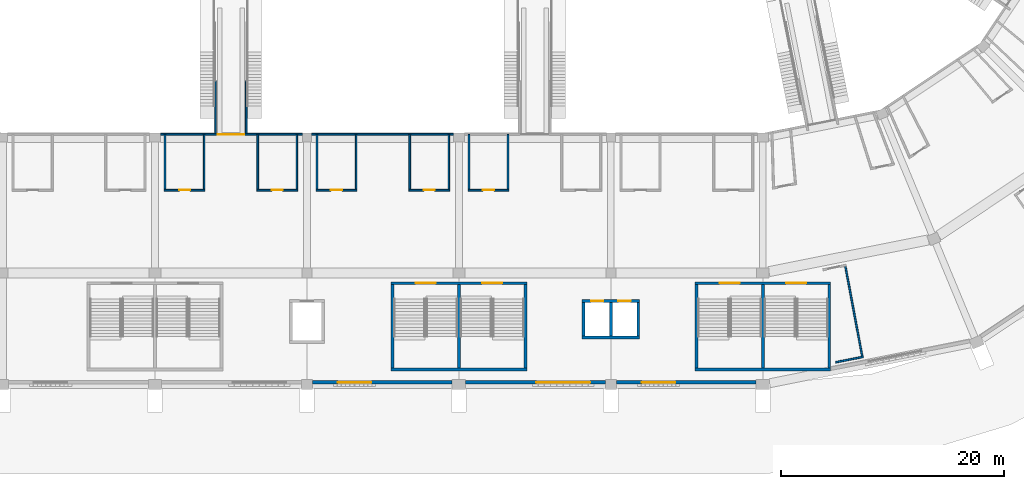
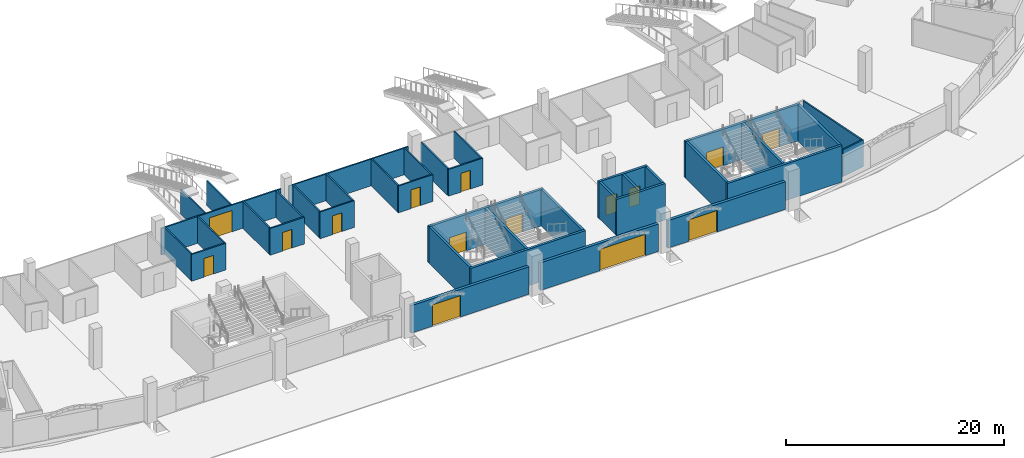
# One storey, part 28 of 175: 39 walls, 15 doors, 15 openings.
"""IFC4 building model written with IfcOpenShell, lengths in metres."""

from ifc_helpers import new_model, si_unit, direction, frame, frame_2d, origin, place, context, subcontext, project, spatial, rectangle, extrude, material, layer, layer_set, type_object, element, fill, save


model = new_model("IFC4")

# Units and contexts
model_context = context("Model", 3, precision=1e-05, world=origin(), true_north=direction((0.0, 1.0)))
body_context = subcontext(model_context, "Body", "Model", "MODEL_VIEW")
ifc_project = project(units=[si_unit("LENGTHUNIT", "METRE"), si_unit("AREAUNIT", "SQUARE_METRE"), si_unit("VOLUMEUNIT", "CUBIC_METRE"), si_unit("PLANEANGLEUNIT", "RADIAN"), si_unit("MASSUNIT", "GRAM", prefix="KILO")], contexts=[model_context])

# Site, building, storey
site_placement = place(None, origin())
site = spatial("IfcSite", under=ifc_project, at=site_placement, CompositionType="ELEMENT")
building_placement = place(site_placement, origin())
building = spatial("IfcBuilding", under=site, at=building_placement, Name="Ogive Plaza Stadium", CompositionType="ELEMENT")
storey_placement = place(building_placement, origin())
storey = spatial("IfcBuildingStorey", under=building, at=storey_placement, Name="L00", CompositionType="ELEMENT", Elevation=0.0)

# Wall, opening, door
ifc_material_1 = material(Name="Masonry blockwork", Category="masonry")
ifc_layer_1 = layer(ifc_material_1, 0.14990234375)
ifc_layer_set_1 = layer_set([ifc_layer_1], Name="Blockwork wall 150")
wall_type_1 = type_object("IfcWallType", Name="Blockwork wall 150", PredefinedType="SOLIDWALL", material=ifc_layer_set_1)
wall_1_placement = place(storey_placement, frame((7.625, -85.10009765625, 0.0), z_axis=(0.0, 0.0, 1.0), x_axis=(1.0, 0.0, 0.0)))
wall_1 = element("IfcWall", 1, at=wall_1_placement, inside=storey, type_object=wall_type_1, Name="Wall L00 B13", PredefinedType="SOLIDWALL", context=body_context, shape_type="SweptSolid", body=[
    extrude(rectangle(XDim=3.64990234375, YDim=0.14990234375, at=frame_2d((1.824951171875, 0.0))), origin(), (0.0, 0.0, 1.0), 3.0),
])
opening_1_placement = place(wall_1_placement, frame((1.324951171875, 0.0, 0.0)))
opening_1 = element("IfcOpeningElement", 2, at=opening_1_placement, cuts=wall_1, Name="Opening D0403", PredefinedType="OPENING", context=body_context, shape_type="SweptSolid", body=[
    extrude(rectangle(XDim=1.0, YDim=2.10009765625, at=frame_2d((0.5, 1.050048828125))), frame((0.0, 0.074951171875, 0.0), z_axis=(0.0, -1.0, 0.0), x_axis=(1.0, 0.0, 0.0)), (0.0, 0.0, 1.0), 0.14990234375),
])
ifc_material_2 = material(Name="Steel ASTM A572 Grade 50", Category="steel")
door_type_1 = type_object("IfcDoorType", Name="Door 1000 x 2100", OperationType="SINGLE_SWING_LEFT", PredefinedType="DOOR", material=ifc_material_2)
door_1_placement = place(opening_1_placement, origin())
door_1 = element("IfcDoor", 3, at=door_1_placement, inside=storey, type_object=door_type_1, Name="Concession Stand B13 door", OperationType="SINGLE_SWING_LEFT", OverallHeight=2.10009765625, OverallWidth=1.0, PredefinedType="DOOR", context=body_context, shape_type="SweptSolid", body=[
    extrude(rectangle(XDim=1.0, YDim=2.10009765625, at=frame_2d((0.5, 1.050048828125))), frame((0.0, 0.02490234375, 0.0), z_axis=(0.0, -1.0, 0.0), x_axis=(1.0, 0.0, 0.0)), (0.0, 0.0, 1.0), 0.050048828125),
])
fill(opening_1, door_1)

# Walls
for number, where, z_axis, x_axis, name in (
    (4, (7.699951171875, -80.10009765625, 0.0), (0.0, 0.0, 1.0), (0.0, -1.0, 0.0), "Wall L00 B13"),
    (5, (11.199951171875, -80.10009765625, 0.0), (0.0, 0.0, 1.0), (0.0, -1.0, 0.0), "Wall L00 B13"),
):
    element("IfcWall", number, at=place(storey_placement, frame(where, z_axis=z_axis, x_axis=x_axis)), inside=storey, type_object=wall_type_1, Name=name, PredefinedType="SOLIDWALL", context=body_context, shape_type="SweptSolid", body=[
        extrude(rectangle(XDim=4.9248046875, YDim=0.14990234375, at=frame_2d((2.46240234375, 0.0))), origin(), (0.0, 0.0, 1.0), 3.0),
    ])

# Wall, opening, door
wall_2_placement = place(storey_placement, frame((5.97509765625, -85.10009765625, 0.0), z_axis=(0.0, 0.0, 1.0), x_axis=(-1.0, 0.0, 0.0)))
wall_2 = element("IfcWall", 6, at=wall_2_placement, inside=storey, type_object=wall_type_1, Name="Wall L00 B14", PredefinedType="SOLIDWALL", context=body_context, shape_type="SweptSolid", body=[
    extrude(rectangle(XDim=3.650146484375, YDim=0.14990234375, at=frame_2d((1.8251953125, 0.0))), origin(), (0.0, 0.0, 1.0), 3.0),
])
opening_2_placement = place(wall_2_placement, frame((1.324951171875, 0.0, 0.0)))
opening_2 = element("IfcOpeningElement", 7, at=opening_2_placement, cuts=wall_2, Name="Opening D0405", PredefinedType="OPENING", context=body_context, shape_type="SweptSolid", body=[
    extrude(rectangle(XDim=1.0, YDim=2.10009765625, at=frame_2d((0.5, 1.050048828125))), frame((0.0, 0.074951171875, 0.0), z_axis=(0.0, -1.0, 0.0), x_axis=(1.0, 0.0, 0.0)), (0.0, 0.0, 1.0), 0.14990234375),
])
door_2_placement = place(opening_2_placement, origin())
door_2 = element("IfcDoor", 8, at=door_2_placement, inside=storey, type_object=door_type_1, Name="Concession Stand B14 door", OperationType="SINGLE_SWING_RIGHT", OverallHeight=2.10009765625, OverallWidth=1.0, PredefinedType="DOOR", context=body_context, shape_type="SweptSolid", body=[
    extrude(rectangle(XDim=1.0, YDim=2.10009765625, at=frame_2d((0.5, 1.050048828125))), frame((0.0, 0.02490234375, 0.0), z_axis=(0.0, -1.0, 0.0), x_axis=(1.0, 0.0, 0.0)), (0.0, 0.0, 1.0), 0.050048828125),
])
fill(opening_2, door_2)

# Walls
for number, where, z_axis, x_axis, name in (
    (9, (5.89990234375, -80.10009765625, 0.0), (0.0, 0.0, 1.0), (0.0, -1.0, 0.0), "Wall L00 B14"),
    (10, (2.39990234375, -80.10009765625, 0.0), (0.0, 0.0, 1.0), (0.0, -1.0, 0.0), "Wall L00 B14"),
):
    element("IfcWall", number, at=place(storey_placement, frame(where, z_axis=z_axis, x_axis=x_axis)), inside=storey, type_object=wall_type_1, Name=name, PredefinedType="SOLIDWALL", context=body_context, shape_type="SweptSolid", body=[
        extrude(rectangle(XDim=4.9248046875, YDim=0.14990234375, at=frame_2d((2.46240234375, 0.0))), origin(), (0.0, 0.0, 1.0), 3.0),
    ])

# Wall, opening, door
wall_3_placement = place(storey_placement, frame((-2.324951171875, -85.10009765625, 0.0), z_axis=(0.0, 0.0, 1.0), x_axis=(-1.0, 0.0, 0.0)))
wall_3 = element("IfcWall", 11, at=wall_3_placement, inside=storey, type_object=wall_type_1, Name="Wall L00 B14", PredefinedType="SOLIDWALL", context=body_context, shape_type="SweptSolid", body=[
    extrude(rectangle(XDim=3.650146484375, YDim=0.14990234375, at=frame_2d((1.8251953125, 0.0))), origin(), (0.0, 0.0, 1.0), 3.0),
])
opening_3_placement = place(wall_3_placement, frame((1.324951171875, 0.0, 0.0)))
opening_3 = element("IfcOpeningElement", 12, at=opening_3_placement, cuts=wall_3, Name="Opening D0406", PredefinedType="OPENING", context=body_context, shape_type="SweptSolid", body=[
    extrude(rectangle(XDim=1.0, YDim=2.10009765625, at=frame_2d((0.5, 1.050048828125))), frame((0.0, 0.074951171875, 0.0), z_axis=(0.0, -1.0, 0.0), x_axis=(1.0, 0.0, 0.0)), (0.0, 0.0, 1.0), 0.14990234375),
])
door_3_placement = place(opening_3_placement, origin())
door_3 = element("IfcDoor", 13, at=door_3_placement, inside=storey, type_object=door_type_1, Name="Concession Stand B14 door", OperationType="SINGLE_SWING_LEFT", OverallHeight=2.10009765625, OverallWidth=1.0, PredefinedType="DOOR", context=body_context, shape_type="SweptSolid", body=[
    extrude(rectangle(XDim=1.0, YDim=2.10009765625, at=frame_2d((0.5, 1.050048828125))), frame((0.0, 0.02490234375, 0.0), z_axis=(0.0, -1.0, 0.0), x_axis=(1.0, 0.0, 0.0)), (0.0, 0.0, 1.0), 0.050048828125),
])
fill(opening_3, door_3)

# Walls
for number, where, z_axis, x_axis, name in (
    (14, (-2.39990234375, -80.10009765625, 0.0), (0.0, 0.0, 1.0), (0.0, -1.0, 0.0), "Wall L00 B14"),
    (15, (-5.89990234375, -80.10009765625, 0.0), (0.0, 0.0, 1.0), (0.0, -1.0, 0.0), "Wall L00 B14"),
):
    element("IfcWall", number, at=place(storey_placement, frame(where, z_axis=z_axis, x_axis=x_axis)), inside=storey, type_object=wall_type_1, Name=name, PredefinedType="SOLIDWALL", context=body_context, shape_type="SweptSolid", body=[
        extrude(rectangle(XDim=4.9248046875, YDim=0.14990234375, at=frame_2d((2.46240234375, 0.0))), origin(), (0.0, 0.0, 1.0), 3.0),
    ])

# Wall, opening, door
wall_4_placement = place(storey_placement, frame((-19.574951171875, -85.10009765625, 0.0), z_axis=(0.0, 0.0, 1.0), x_axis=(1.0, 0.0, 0.0)))
wall_4 = element("IfcWall", 16, at=wall_4_placement, inside=storey, type_object=wall_type_1, Name="Wall L00 B15", PredefinedType="SOLIDWALL", context=body_context, shape_type="SweptSolid", body=[
    extrude(rectangle(XDim=3.64990234375, YDim=0.14990234375, at=frame_2d((1.824951171875, 0.0))), origin(), (0.0, 0.0, 1.0), 3.0),
])
opening_4_placement = place(wall_4_placement, frame((1.324951171875, 0.0, 0.0)))
opening_4 = element("IfcOpeningElement", 17, at=opening_4_placement, cuts=wall_4, Name="Opening D0407", PredefinedType="OPENING", context=body_context, shape_type="SweptSolid", body=[
    extrude(rectangle(XDim=1.0, YDim=2.10009765625, at=frame_2d((0.5, 1.050048828125))), frame((0.0, 0.074951171875, 0.0), z_axis=(0.0, -1.0, 0.0), x_axis=(1.0, 0.0, 0.0)), (0.0, 0.0, 1.0), 0.14990234375),
])
door_4_placement = place(opening_4_placement, origin())
door_4 = element("IfcDoor", 18, at=door_4_placement, inside=storey, type_object=door_type_1, Name="Concession Stand B15 door", OperationType="SINGLE_SWING_LEFT", OverallHeight=2.10009765625, OverallWidth=1.0, PredefinedType="DOOR", context=body_context, shape_type="SweptSolid", body=[
    extrude(rectangle(XDim=1.0, YDim=2.10009765625, at=frame_2d((0.5, 1.050048828125))), frame((0.0, 0.02490234375, 0.0), z_axis=(0.0, -1.0, 0.0), x_axis=(1.0, 0.0, 0.0)), (0.0, 0.0, 1.0), 0.050048828125),
])
fill(opening_4, door_4)

# Walls
for number, where, z_axis, x_axis, name in (
    (19, (-19.5, -80.10009765625, 0.0), (0.0, 0.0, 1.0), (0.0, -1.0, 0.0), "Wall L00 B15"),
    (20, (-16.0, -80.10009765625, 0.0), (0.0, 0.0, 1.0), (0.0, -1.0, 0.0), "Wall L00 B15"),
):
    element("IfcWall", number, at=place(storey_placement, frame(where, z_axis=z_axis, x_axis=x_axis)), inside=storey, type_object=wall_type_1, Name=name, PredefinedType="SOLIDWALL", context=body_context, shape_type="SweptSolid", body=[
        extrude(rectangle(XDim=4.9248046875, YDim=0.14990234375, at=frame_2d((2.46240234375, 0.0))), origin(), (0.0, 0.0, 1.0), 3.0),
    ])

# Wall, opening, door
wall_5_placement = place(storey_placement, frame((-11.27490234375, -85.10009765625, 0.0), z_axis=(0.0, 0.0, 1.0), x_axis=(1.0, 0.0, 0.0)))
wall_5 = element("IfcWall", 21, at=wall_5_placement, inside=storey, type_object=wall_type_1, Name="Wall L00 B15", PredefinedType="SOLIDWALL", context=body_context, shape_type="SweptSolid", body=[
    extrude(rectangle(XDim=3.64990234375, YDim=0.14990234375, at=frame_2d((1.824951171875, 0.0))), origin(), (0.0, 0.0, 1.0), 3.0),
])
opening_5_placement = place(wall_5_placement, frame((1.324951171875, 0.0, 0.0)))
opening_5 = element("IfcOpeningElement", 22, at=opening_5_placement, cuts=wall_5, Name="Opening D0408", PredefinedType="OPENING", context=body_context, shape_type="SweptSolid", body=[
    extrude(rectangle(XDim=1.0, YDim=2.10009765625, at=frame_2d((0.5, 1.050048828125))), frame((0.0, 0.074951171875, 0.0), z_axis=(0.0, -1.0, 0.0), x_axis=(1.0, 0.0, 0.0)), (0.0, 0.0, 1.0), 0.14990234375),
])
door_5_placement = place(opening_5_placement, origin())
door_5 = element("IfcDoor", 23, at=door_5_placement, inside=storey, type_object=door_type_1, Name="Concession Stand B15 door", OperationType="SINGLE_SWING_RIGHT", OverallHeight=2.10009765625, OverallWidth=1.0, PredefinedType="DOOR", context=body_context, shape_type="SweptSolid", body=[
    extrude(rectangle(XDim=1.0, YDim=2.10009765625, at=frame_2d((0.5, 1.050048828125))), frame((0.0, 0.02490234375, 0.0), z_axis=(0.0, -1.0, 0.0), x_axis=(1.0, 0.0, 0.0)), (0.0, 0.0, 1.0), 0.050048828125),
])
fill(opening_5, door_5)

# Walls
for number, where, z_axis, x_axis, name in (
    (24, (-11.199951171875, -80.10009765625, 0.0), (0.0, 0.0, 1.0), (0.0, -1.0, 0.0), "Wall L00 B15"),
    (25, (-7.699951171875, -80.10009765625, 0.0), (0.0, 0.0, 1.0), (0.0, -1.0, 0.0), "Wall L00 B15"),
):
    element("IfcWall", number, at=place(storey_placement, frame(where, z_axis=z_axis, x_axis=x_axis)), inside=storey, type_object=wall_type_1, Name=name, PredefinedType="SOLIDWALL", context=body_context, shape_type="SweptSolid", body=[
        extrude(rectangle(XDim=4.9248046875, YDim=0.14990234375, at=frame_2d((2.46240234375, 0.0))), origin(), (0.0, 0.0, 1.0), 3.0),
    ])
wall_6_placement = place(storey_placement, frame((6.300048828125, -80.10009765625, 0.0), z_axis=(0.0, 0.0, 1.0), x_axis=(-1.0, 0.0, 0.0)))
element("IfcWall", 26, at=wall_6_placement, inside=storey, type_object=wall_type_1, Name="Stand rear wall B14", PredefinedType="SOLIDWALL", context=body_context, shape_type="SweptSolid", body=[
    extrude(rectangle(XDim=12.699951171875, YDim=0.14990234375, at=frame_2d((6.35009765625, 0.0))), origin(), (0.0, 0.0, 1.0), 3.0),
])

# Wall, opening, door
wall_7_placement = place(storey_placement, frame((-7.199951171875, -80.10009765625, 0.0), z_axis=(0.0, 0.0, 1.0), x_axis=(-1.0, 0.0, 0.0)))
wall_7 = element("IfcWall", 27, at=wall_7_placement, inside=storey, type_object=wall_type_1, Name="Stand rear wall B15", PredefinedType="SOLIDWALL", context=body_context, shape_type="SweptSolid", body=[
    extrude(rectangle(XDim=12.699951171875, YDim=0.14990234375, at=frame_2d((6.35009765625, 0.0))), origin(), (0.0, 0.0, 1.0), 3.0),
])
opening_6_placement = place(wall_7_placement, frame((5.199951171875, 0.0, 0.0)))
opening_6 = element("IfcOpeningElement", 28, at=opening_6_placement, cuts=wall_7, Name="Opening D1044", PredefinedType="OPENING", context=body_context, shape_type="SweptSolid", body=[
    extrude(rectangle(XDim=2.39990234375, YDim=2.39990234375, at=frame_2d((1.199951171875, 1.199951171875))), frame((0.0, 0.074951171875, 0.0), z_axis=(0.0, -1.0, 0.0), x_axis=(1.0, 0.0, 0.0)), (0.0, 0.0, 1.0), 0.14990234375),
])
ifc_material_3 = material(Name="Steel ASTM A572 Grade 50", Category="steel")
door_type_2 = type_object("IfcDoorType", Name="Service door pair 2400 x 2400", OperationType="DOUBLE_DOOR_SINGLE_SWING", PredefinedType="DOOR", material=ifc_material_3)
door_6_placement = place(opening_6_placement, origin())
door_6 = element("IfcDoor", 29, at=door_6_placement, inside=storey, type_object=door_type_2, Name="Vomitory portal door B15", OperationType="DOUBLE_DOOR_SINGLE_SWING", OverallHeight=2.39990234375, OverallWidth=2.39990234375, PredefinedType="DOOR", context=body_context, shape_type="SweptSolid", body=[
    extrude(rectangle(XDim=2.39990234375, YDim=2.39990234375, at=frame_2d((1.199951171875, 1.199951171875))), frame((0.0, 0.02490234375, 0.0), z_axis=(0.0, -1.0, 0.0), x_axis=(1.0, 0.0, 0.0)), (0.0, 0.0, 1.0), 0.050048828125),
])
fill(opening_6, door_6)

# Wall, openings, doors
ifc_material_4 = material(Name="Concrete C40/50", Category="concrete")
ifc_layer_2 = layer(ifc_material_4, 0.25)
ifc_layer_set_2 = layer_set([ifc_layer_2], Name="Concrete C40/50")
wall_type_2 = type_object("IfcWallType", Name="Core wall 250", PredefinedType="SHEAR", material=ifc_layer_set_2)
wall_8_placement = place(storey_placement, frame((27.925048828125, -93.425048828125, 0.0), z_axis=(0.0, 0.0, 1.0), x_axis=(1.0, 0.0, 0.0)))
wall_8 = element("IfcWall", 30, at=wall_8_placement, inside=storey, type_object=wall_type_2, Name="Stair core R12 inner wall", PredefinedType="SHEAR", context=body_context, shape_type="SweptSolid", body=[
    extrude(rectangle(XDim=12.14990234375, YDim=0.25, at=frame_2d((6.074951171875, 0.0))), origin(), (0.0, 0.0, 1.0), 4.090087890625),
])
opening_7_placement = place(wall_8_placement, frame((2.199951171875, 0.0, 0.0)))
opening_7 = element("IfcOpeningElement", 31, at=opening_7_placement, cuts=wall_8, Name="Opening D0107", PredefinedType="OPENING", context=body_context, shape_type="SweptSolid", body=[
    extrude(rectangle(XDim=1.800048828125, YDim=2.10009765625, at=frame_2d((0.89990234375, 1.050048828125))), frame((0.0, 0.125, 0.0), z_axis=(0.0, -1.0, 0.0), x_axis=(1.0, 0.0, 0.0)), (0.0, 0.0, 1.0), 0.25),
])
opening_8_placement = place(wall_8_placement, frame((8.14990234375, 0.0, 0.0)))
opening_8 = element("IfcOpeningElement", 32, at=opening_8_placement, cuts=wall_8, Name="Opening D0108", PredefinedType="OPENING", context=body_context, shape_type="SweptSolid", body=[
    extrude(rectangle(XDim=1.800048828125, YDim=2.10009765625, at=frame_2d((0.89990234375, 1.050048828125))), frame((0.0, 0.125, 0.0), z_axis=(0.0, -1.0, 0.0), x_axis=(1.0, 0.0, 0.0)), (0.0, 0.0, 1.0), 0.25),
])
ifc_material_5 = material(Name="Steel ASTM A572 Grade 50", Category="steel")
door_type_3 = type_object("IfcDoorType", Name="Fire door FD90 pair 1800 x 2100", OperationType="DOUBLE_DOOR_SINGLE_SWING", PredefinedType="DOOR", material=ifc_material_5)
door_7_placement = place(opening_7_placement, origin())
door_7 = element("IfcDoor", 33, at=door_7_placement, inside=storey, type_object=door_type_3, Name="Exit stair R12A door L00", OperationType="DOUBLE_DOOR_SINGLE_SWING", OverallHeight=2.10009765625, OverallWidth=1.800048828125, PredefinedType="DOOR", context=body_context, shape_type="SweptSolid", body=[
    extrude(rectangle(XDim=1.800048828125, YDim=2.10009765625, at=frame_2d((0.89990234375, 1.050048828125))), frame((0.0, 0.02490234375, 0.0), z_axis=(0.0, -1.0, 0.0), x_axis=(1.0, 0.0, 0.0)), (0.0, 0.0, 1.0), 0.050048828125),
])
fill(opening_7, door_7)
door_8_placement = place(opening_8_placement, origin())
door_8 = element("IfcDoor", 34, at=door_8_placement, inside=storey, type_object=door_type_3, Name="Exit stair R12B door L00", OperationType="DOUBLE_DOOR_SINGLE_SWING", OverallHeight=2.10009765625, OverallWidth=1.800048828125, PredefinedType="DOOR", context=body_context, shape_type="SweptSolid", body=[
    extrude(rectangle(XDim=1.800048828125, YDim=2.10009765625, at=frame_2d((0.89990234375, 1.050048828125))), frame((0.0, 0.02490234375, 0.0), z_axis=(0.0, -1.0, 0.0), x_axis=(1.0, 0.0, 0.0)), (0.0, 0.0, 1.0), 0.050048828125),
])
fill(opening_8, door_8)

# Walls
wall_9_placement = place(storey_placement, frame((27.925048828125, -101.135009765625, 0.0), z_axis=(0.0, 0.0, 1.0), x_axis=(1.0, 0.0, 0.0)))
element("IfcWall", 35, at=wall_9_placement, inside=storey, type_object=wall_type_2, Name="Stair core R12 outer wall", PredefinedType="SHEAR", context=body_context, shape_type="SweptSolid", body=[
    extrude(rectangle(XDim=12.14990234375, YDim=0.25, at=frame_2d((6.074951171875, 0.0))), origin(), (0.0, 0.0, 1.0), 4.090087890625),
])
for number, where, z_axis, x_axis, name in (
    (36, (28.050048828125, -93.550048828125, 0.0), (0.0, 0.0, 1.0), (0.0, -1.0, 0.0), "Stair core R12 side wall"),
    (37, (39.949951171875, -93.550048828125, 0.0), (0.0, 0.0, 1.0), (0.0, -1.0, 0.0), "Stair core R12 side wall"),
    (38, (34.0, -93.550048828125, 0.0), (0.0, 0.0, 1.0), (0.0, -1.0, 0.0), "Stair core R12 centre wall"),
):
    element("IfcWall", number, at=place(storey_placement, frame(where, z_axis=z_axis, x_axis=x_axis)), inside=storey, type_object=wall_type_2, Name=name, PredefinedType="SHEAR", context=body_context, shape_type="SweptSolid", body=[
        extrude(rectangle(XDim=7.4599609375, YDim=0.25, at=frame_2d((3.72998046875, 0.0))), origin(), (0.0, 0.0, 1.0), 4.090087890625),
    ])

# Wall, openings, doors
wall_10_placement = place(storey_placement, frame((0.72509765625, -93.425048828125, 0.0), z_axis=(0.0, 0.0, 1.0), x_axis=(1.0, 0.0, 0.0)))
wall_10 = element("IfcWall", 39, at=wall_10_placement, inside=storey, type_object=wall_type_2, Name="Stair core R14 inner wall", PredefinedType="SHEAR", context=body_context, shape_type="SweptSolid", body=[
    extrude(rectangle(XDim=12.14990234375, YDim=0.25, at=frame_2d((6.074951171875, 0.0))), origin(), (0.0, 0.0, 1.0), 4.090087890625),
])
opening_9_placement = place(wall_10_placement, frame((2.199951171875, 0.0, 0.0)))
opening_9 = element("IfcOpeningElement", 40, at=opening_9_placement, cuts=wall_10, Name="Opening D0119", PredefinedType="OPENING", context=body_context, shape_type="SweptSolid", body=[
    extrude(rectangle(XDim=1.800048828125, YDim=2.10009765625, at=frame_2d((0.89990234375, 1.050048828125))), frame((0.0, 0.125, 0.0), z_axis=(0.0, -1.0, 0.0), x_axis=(1.0, 0.0, 0.0)), (0.0, 0.0, 1.0), 0.25),
])
opening_10_placement = place(wall_10_placement, frame((8.14990234375, 0.0, 0.0)))
opening_10 = element("IfcOpeningElement", 41, at=opening_10_placement, cuts=wall_10, Name="Opening D0120", PredefinedType="OPENING", context=body_context, shape_type="SweptSolid", body=[
    extrude(rectangle(XDim=1.800048828125, YDim=2.10009765625, at=frame_2d((0.89990234375, 1.050048828125))), frame((0.0, 0.125, 0.0), z_axis=(0.0, -1.0, 0.0), x_axis=(1.0, 0.0, 0.0)), (0.0, 0.0, 1.0), 0.25),
])
door_9_placement = place(opening_9_placement, origin())
door_9 = element("IfcDoor", 42, at=door_9_placement, inside=storey, type_object=door_type_3, Name="Exit stair R14A door L00", OperationType="DOUBLE_DOOR_SINGLE_SWING", OverallHeight=2.10009765625, OverallWidth=1.800048828125, PredefinedType="DOOR", context=body_context, shape_type="SweptSolid", body=[
    extrude(rectangle(XDim=1.800048828125, YDim=2.10009765625, at=frame_2d((0.89990234375, 1.050048828125))), frame((0.0, 0.02490234375, 0.0), z_axis=(0.0, -1.0, 0.0), x_axis=(1.0, 0.0, 0.0)), (0.0, 0.0, 1.0), 0.050048828125),
])
fill(opening_9, door_9)
door_10_placement = place(opening_10_placement, origin())
door_10 = element("IfcDoor", 43, at=door_10_placement, inside=storey, type_object=door_type_3, Name="Exit stair R14B door L00", OperationType="DOUBLE_DOOR_SINGLE_SWING", OverallHeight=2.10009765625, OverallWidth=1.800048828125, PredefinedType="DOOR", context=body_context, shape_type="SweptSolid", body=[
    extrude(rectangle(XDim=1.800048828125, YDim=2.10009765625, at=frame_2d((0.89990234375, 1.050048828125))), frame((0.0, 0.02490234375, 0.0), z_axis=(0.0, -1.0, 0.0), x_axis=(1.0, 0.0, 0.0)), (0.0, 0.0, 1.0), 0.050048828125),
])
fill(opening_10, door_10)

# Walls
wall_11_placement = place(storey_placement, frame((0.72509765625, -101.135009765625, 0.0), z_axis=(0.0, 0.0, 1.0), x_axis=(1.0, 0.0, 0.0)))
element("IfcWall", 44, at=wall_11_placement, inside=storey, type_object=wall_type_2, Name="Stair core R14 outer wall", PredefinedType="SHEAR", context=body_context, shape_type="SweptSolid", body=[
    extrude(rectangle(XDim=12.14990234375, YDim=0.25, at=frame_2d((6.074951171875, 0.0))), origin(), (0.0, 0.0, 1.0), 4.090087890625),
])
for number, where, z_axis, x_axis, name in (
    (45, (0.85009765625, -93.550048828125, 0.0), (0.0, 0.0, 1.0), (0.0, -1.0, 0.0), "Stair core R14 side wall"),
    (46, (12.75, -93.550048828125, 0.0), (0.0, 0.0, 1.0), (0.0, -1.0, 0.0), "Stair core R14 side wall"),
    (47, (6.800048828125, -93.550048828125, 0.0), (0.0, 0.0, 1.0), (0.0, -1.0, 0.0), "Stair core R14 centre wall"),
):
    element("IfcWall", number, at=place(storey_placement, frame(where, z_axis=z_axis, x_axis=x_axis)), inside=storey, type_object=wall_type_2, Name=name, PredefinedType="SHEAR", context=body_context, shape_type="SweptSolid", body=[
        extrude(rectangle(XDim=7.4599609375, YDim=0.25, at=frame_2d((3.72998046875, 0.0))), origin(), (0.0, 0.0, 1.0), 4.090087890625),
    ])

# Wall, openings, doors
wall_12_placement = place(storey_placement, frame((17.824951171875, -95.02490234375, 0.0), z_axis=(0.0, 0.0, 1.0), x_axis=(1.0, 0.0, 0.0)))
wall_12 = element("IfcWall", 48, at=wall_12_placement, inside=storey, type_object=wall_type_2, Name="Lift core LP13 landing wall", PredefinedType="SHEAR", context=body_context, shape_type="SweptSolid", body=[
    extrude(rectangle(XDim=5.150146484375, YDim=0.25, at=frame_2d((2.5751953125, 0.0))), origin(), (0.0, 0.0, 1.0), 4.090087890625),
])
opening_11_placement = place(wall_12_placement, frame((0.800048828125, 0.0, 0.0)))
opening_11 = element("IfcOpeningElement", 49, at=opening_11_placement, cuts=wall_12, Name="Opening LD023", PredefinedType="OPENING", context=body_context, shape_type="SweptSolid", body=[
    extrude(rectangle(XDim=1.10009765625, YDim=2.10009765625, at=frame_2d((0.550048828125, 1.050048828125))), frame((0.0, 0.125, 0.0), z_axis=(0.0, -1.0, 0.0), x_axis=(1.0, 0.0, 0.0)), (0.0, 0.0, 1.0), 0.25),
])
opening_12_placement = place(wall_12_placement, frame((3.25, 0.0, 0.0)))
opening_12 = element("IfcOpeningElement", 50, at=opening_12_placement, cuts=wall_12, Name="Opening LD024", PredefinedType="OPENING", context=body_context, shape_type="SweptSolid", body=[
    extrude(rectangle(XDim=1.10009765625, YDim=2.10009765625, at=frame_2d((0.550048828125, 1.050048828125))), frame((0.0, 0.125, 0.0), z_axis=(0.0, -1.0, 0.0), x_axis=(1.0, 0.0, 0.0)), (0.0, 0.0, 1.0), 0.25),
])
ifc_material_6 = material(Name="Steel ASTM A572 Grade 50", Category="steel")
door_type_4 = type_object("IfcDoorType", Name="Landing door 1100 x 2100", OperationType="SLIDING_TO_LEFT", PredefinedType="DOOR", material=ifc_material_6)
door_11_placement = place(opening_11_placement, origin())
door_11 = element("IfcDoor", 51, at=door_11_placement, inside=storey, type_object=door_type_4, Name="Lift landing door LP13 L00", OperationType="SLIDING_TO_LEFT", OverallHeight=2.10009765625, OverallWidth=1.10009765625, PredefinedType="DOOR", context=body_context, shape_type="SweptSolid", body=[
    extrude(rectangle(XDim=1.10009765625, YDim=2.10009765625, at=frame_2d((0.550048828125, 1.050048828125))), frame((0.0, 0.02490234375, 0.0), z_axis=(0.0, -1.0, 0.0), x_axis=(1.0, 0.0, 0.0)), (0.0, 0.0, 1.0), 0.050048828125),
])
fill(opening_11, door_11)
door_12_placement = place(opening_12_placement, origin())
door_12 = element("IfcDoor", 52, at=door_12_placement, inside=storey, type_object=door_type_4, Name="Lift landing door LP13 L00", OperationType="SLIDING_TO_LEFT", OverallHeight=2.10009765625, OverallWidth=1.10009765625, PredefinedType="DOOR", context=body_context, shape_type="SweptSolid", body=[
    extrude(rectangle(XDim=1.10009765625, YDim=2.10009765625, at=frame_2d((0.550048828125, 1.050048828125))), frame((0.0, 0.02490234375, 0.0), z_axis=(0.0, -1.0, 0.0), x_axis=(1.0, 0.0, 0.0)), (0.0, 0.0, 1.0), 0.050048828125),
])
fill(opening_12, door_12)

# Walls
wall_13_placement = place(storey_placement, frame((17.824951171875, -98.27490234375, 0.0), z_axis=(0.0, 0.0, 1.0), x_axis=(1.0, 0.0, 0.0)))
element("IfcWall", 53, at=wall_13_placement, inside=storey, type_object=wall_type_2, Name="Lift core LP13 rear wall", PredefinedType="SHEAR", context=body_context, shape_type="SweptSolid", body=[
    extrude(rectangle(XDim=5.150146484375, YDim=0.25, at=frame_2d((2.5751953125, 0.0))), origin(), (0.0, 0.0, 1.0), 4.090087890625),
])
for number, where, z_axis, x_axis, name in (
    (54, (17.949951171875, -95.14990234375, 0.0), (0.0, 0.0, 1.0), (0.0, -1.0, 0.0), "Lift core LP13 side wall"),
    (55, (22.85009765625, -95.14990234375, 0.0), (0.0, 0.0, 1.0), (0.0, -1.0, 0.0), "Lift core LP13 side wall"),
    (56, (20.39990234375, -95.14990234375, 0.0), (0.0, 0.0, 1.0), (0.0, -1.0, 0.0), "Lift core LP13 centre wall"),
):
    element("IfcWall", number, at=place(storey_placement, frame(where, z_axis=z_axis, x_axis=x_axis)), inside=storey, type_object=wall_type_2, Name=name, PredefinedType="SHEAR", context=body_context, shape_type="SweptSolid", body=[
        extrude(rectangle(XDim=3.0, YDim=0.25, at=frame_2d((1.5, 0.0))), origin(), (0.0, 0.0, 1.0), 4.090087890625),
    ])
ifc_material_7 = material(Name="Gypsum board partition", Category="gypsum")
ifc_layer_3 = layer(ifc_material_7, 0.14990234375)
ifc_layer_set_3 = layer_set([ifc_layer_3], Name="Partition 150")
wall_type_3 = type_object("IfcWallType", Name="Partition 150", PredefinedType="PARTITIONING", material=ifc_layer_set_3)
wall_14_placement = place(storey_placement, frame((40.520263671875, -100.5029296875, 0.0), z_axis=(0.0, 0.0, 1.0), x_axis=(0.980796747004, 0.195032666665, 0.0)))
element("IfcWall", 57, at=wall_14_placement, inside=storey, type_object=wall_type_3, Name="Wall L00 B11", PredefinedType="PARTITIONING", context=body_context, shape_type="SweptSolid", body=[
    extrude(rectangle(XDim=2.513671875, YDim=0.14990234375, at=frame_2d((1.2568359375, 0.0))), origin(), (0.0, 0.0, 1.0), 3.0),
])
wall_15_placement = place(storey_placement, frame((41.38330078125, -91.90625, 0.0), z_axis=(0.0, 0.0, 1.0), x_axis=(0.184160747979, -0.982896138411, 0.0)))
element("IfcWall", 58, at=wall_15_placement, inside=storey, type_object=wall_type_3, Name="Wall L00 B11", PredefinedType="PARTITIONING", context=body_context, shape_type="SweptSolid", body=[
    extrude(rectangle(XDim=8.190185546875, YDim=0.14990234375, at=frame_2d((4.09521484375, 0.0))), origin(), (0.0, 0.0, 1.0), 3.0),
])

# Wall, opening, door
ifc_material_8 = material(Name="Concrete C45/55 precast", Category="concrete")
ifc_layer_4 = layer(ifc_material_8, 0.25)
ifc_material_9 = material(Name="Cast stone (reconstituted limestone)", Category="masonry")
ifc_layer_5 = layer(ifc_material_9, 0.050048828125)
ifc_layer_set_4 = layer_set([ifc_layer_4, ifc_layer_5], Name="Concrete C45/55 precast, cast stone facing")
wall_type_4 = type_object("IfcWallType", Name="Portal infill wall 300", PredefinedType="SOLIDWALL", material=ifc_layer_set_4)
wall_16_placement = place(storey_placement, frame((33.39990234375, -102.300048828125, 0.0), z_axis=(0.0, 0.0, 1.0), x_axis=(-1.0, 0.0, 0.0)))
wall_16 = element("IfcWall", 59, at=wall_16_placement, inside=storey, type_object=wall_type_4, Name="PORTAL WALL B12", PredefinedType="SOLIDWALL", context=body_context, shape_type="SweptSolid", body=[
    extrude(rectangle(XDim=12.5, YDim=0.300048828125, at=frame_2d((6.25, 0.0))), origin(), (0.0, 0.0, 1.0), 3.090087890625),
])
opening_13_placement = place(wall_16_placement, frame((7.237548828125, 0.0, 0.0)))
opening_13 = element("IfcOpeningElement", 60, at=opening_13_placement, cuts=wall_16, Name="Opening D0012", PredefinedType="OPENING", context=body_context, shape_type="SweptSolid", body=[
    extrude(rectangle(XDim=3.0, YDim=2.39990234375, at=frame_2d((1.5, 1.199951171875))), frame((0.0, 0.16015625, 0.0), z_axis=(0.0, -1.0, 0.0), x_axis=(1.0, 0.0, 0.0)), (0.0, 0.0, 1.0), 0.320068359375),
])
ifc_material_10 = material(Name="Bronze-anodised aluminium and laminated glass", Category="aluminium")
door_type_5 = type_object("IfcDoorType", Name="Exit gate door pair 3000 x 2400", OperationType="DOUBLE_DOOR_SINGLE_SWING", PredefinedType="DOOR", material=ifc_material_10)
door_13_placement = place(opening_13_placement, origin())
door_13 = element("IfcDoor", 61, at=door_13_placement, inside=storey, type_object=door_type_5, Name="Pedestrian exit gate G6", OperationType="DOUBLE_DOOR_SINGLE_SWING", OverallHeight=2.39990234375, OverallWidth=3.0, PredefinedType="DOOR", context=body_context, shape_type="SweptSolid", body=[
    extrude(rectangle(XDim=3.0, YDim=2.39990234375, at=frame_2d((1.5, 1.199951171875))), frame((0.0, 0.02490234375, 0.0), z_axis=(0.0, -1.0, 0.0), x_axis=(1.0, 0.0, 0.0)), (0.0, 0.0, 1.0), 0.050048828125),
])
fill(opening_13, door_13)

wall_17_placement = place(storey_placement, frame((19.89990234375, -102.300048828125, 0.0), z_axis=(0.0, 0.0, 1.0), x_axis=(-1.0, 0.0, 0.0)))
wall_17 = element("IfcWall", 62, at=wall_17_placement, inside=storey, type_object=wall_type_4, Name="PORTAL WALL B13", PredefinedType="SOLIDWALL", context=body_context, shape_type="SweptSolid", body=[
    extrude(rectangle(XDim=12.5, YDim=0.300048828125, at=frame_2d((6.25, 0.0))), origin(), (0.0, 0.0, 1.0), 3.090087890625),
])
opening_14_placement = place(wall_17_placement, frame((1.362548828125, 0.0, 0.0)))
opening_14 = element("IfcOpeningElement", 63, at=opening_14_placement, cuts=wall_17, Name="Opening D0013", PredefinedType="OPENING", context=body_context, shape_type="SweptSolid", body=[
    extrude(rectangle(XDim=4.800048828125, YDim=2.39990234375, at=frame_2d((2.39990234375, 1.199951171875))), frame((0.0, 0.16015625, 0.0), z_axis=(0.0, -1.0, 0.0), x_axis=(1.0, 0.0, 0.0)), (0.0, 0.0, 1.0), 0.320068359375),
])
ifc_material_11 = material(Name="Bronze-anodised aluminium and laminated glass", Category="aluminium")
door_type_6 = type_object("IfcDoorType", Name="Entrance door pair 4800 x 2400", OperationType="DOUBLE_DOOR_SINGLE_SWING", PredefinedType="DOOR", material=ifc_material_11)
door_14_placement = place(opening_14_placement, origin())
door_14 = element("IfcDoor", 64, at=door_14_placement, inside=storey, type_object=door_type_6, Name="Main entrance E7", OperationType="DOUBLE_DOOR_SINGLE_SWING", OverallHeight=2.39990234375, OverallWidth=4.800048828125, PredefinedType="DOOR", context=body_context, shape_type="SweptSolid", body=[
    extrude(rectangle(XDim=4.800048828125, YDim=2.39990234375, at=frame_2d((2.39990234375, 1.199951171875))), frame((0.0, 0.02490234375, 0.0), z_axis=(0.0, -1.0, 0.0), x_axis=(1.0, 0.0, 0.0)), (0.0, 0.0, 1.0), 0.050048828125),
])
fill(opening_14, door_14)

wall_18_placement = place(storey_placement, frame((6.199951171875, -102.300048828125, 0.0), z_axis=(0.0, 0.0, 1.0), x_axis=(-1.0, 0.0, 0.0)))
wall_18 = element("IfcWall", 65, at=wall_18_placement, inside=storey, type_object=wall_type_4, Name="PORTAL WALL B14", PredefinedType="SOLIDWALL", context=body_context, shape_type="SweptSolid", body=[
    extrude(rectangle(XDim=12.5, YDim=0.300048828125, at=frame_2d((6.25, 0.0))), origin(), (0.0, 0.0, 1.0), 3.090087890625),
])
opening_15_placement = place(wall_18_placement, frame((7.237548828125, 0.0, 0.0)))
opening_15 = element("IfcOpeningElement", 66, at=opening_15_placement, cuts=wall_18, Name="Opening D0014", PredefinedType="OPENING", context=body_context, shape_type="SweptSolid", body=[
    extrude(rectangle(XDim=3.0, YDim=2.39990234375, at=frame_2d((1.5, 1.199951171875))), frame((0.0, 0.16015625, 0.0), z_axis=(0.0, -1.0, 0.0), x_axis=(1.0, 0.0, 0.0)), (0.0, 0.0, 1.0), 0.320068359375),
])
door_15_placement = place(opening_15_placement, origin())
door_15 = element("IfcDoor", 67, at=door_15_placement, inside=storey, type_object=door_type_5, Name="Pedestrian exit gate G7", OperationType="DOUBLE_DOOR_SINGLE_SWING", OverallHeight=2.39990234375, OverallWidth=3.0, PredefinedType="DOOR", context=body_context, shape_type="SweptSolid", body=[
    extrude(rectangle(XDim=3.0, YDim=2.39990234375, at=frame_2d((1.5, 1.199951171875))), frame((0.0, 0.02490234375, 0.0), z_axis=(0.0, -1.0, 0.0), x_axis=(1.0, 0.0, 0.0)), (0.0, 0.0, 1.0), 0.050048828125),
])
fill(opening_15, door_15)

# Walls
ifc_material_12 = material(Name="Concrete C40/50", Category="concrete")
ifc_layer_6 = layer(ifc_material_12, 0.14990234375)
ifc_layer_set_5 = layer_set([ifc_layer_6], Name="Concrete C40/50")
wall_type_5 = type_object("IfcWallType", Name="Vomitory wall 150", PredefinedType="SOLIDWALL", material=ifc_layer_set_5)
for number, where, z_axis, x_axis, name in (
    (68, (-14.969970703125, -75.300048828125, 0.0), (0.0, 0.0, 1.0), (0.0, -1.0, 0.0), "Vomitory tunnel wall B15"),
    (69, (-12.22998046875, -75.300048828125, 0.0), (0.0, 0.0, 1.0), (0.0, -1.0, 0.0), "Vomitory tunnel wall B15"),
):
    element("IfcWall", number, at=place(storey_placement, frame(where, z_axis=z_axis, x_axis=x_axis)), inside=storey, type_object=wall_type_5, Name=name, PredefinedType="SOLIDWALL", context=body_context, shape_type="SweptSolid", body=[
        extrude(rectangle(XDim=4.724853515625, YDim=0.14990234375, at=frame_2d((2.3623046875, 0.0))), origin(), (0.0, 0.0, 1.0), 2.75),
    ])

save(model, "model.ifc")
